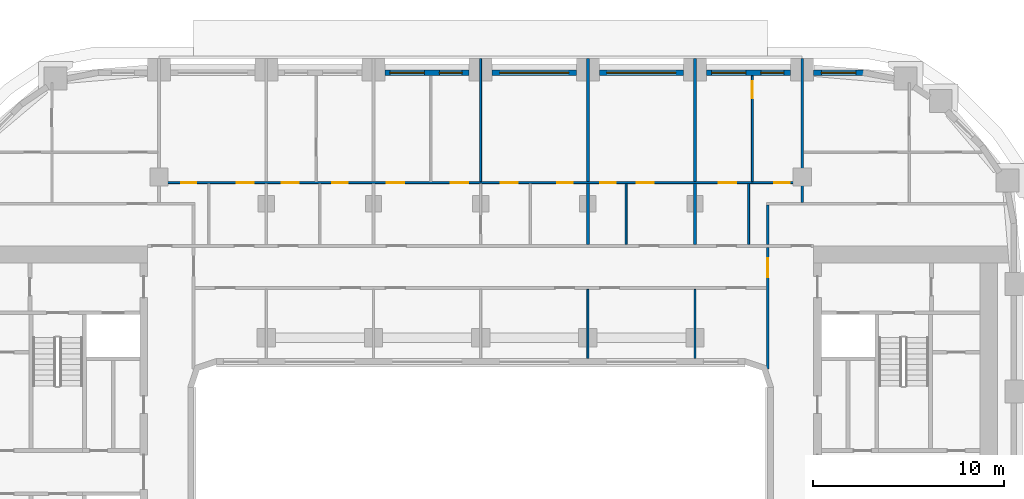
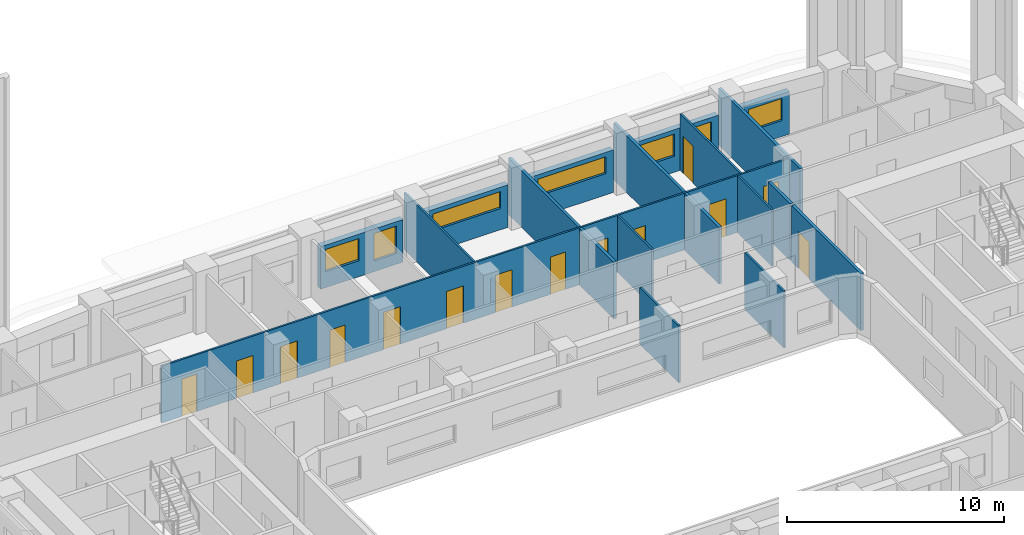
# One storey, part 10 of 23: 19 walls, 14 doors, 7 windows, 21 openings.
"""IFC4 building model written with IfcOpenShell, lengths in metres."""

from ifc_helpers import new_model, si_unit, direction, frame, frame_2d, origin, place, context, subcontext, project, spatial, rectangle, extrude, material, layer, layer_set, type_object, element, fill, save


model = new_model("IFC4")

# Units and contexts
model_context = context("Model", 3, precision=1e-05, world=origin(), true_north=direction((0.0, 1.0)))
body_context = subcontext(model_context, "Body", "Model", "MODEL_VIEW")
ifc_project = project(units=[si_unit("LENGTHUNIT", "METRE"), si_unit("AREAUNIT", "SQUARE_METRE"), si_unit("VOLUMEUNIT", "CUBIC_METRE"), si_unit("PLANEANGLEUNIT", "RADIAN"), si_unit("MASSUNIT", "GRAM", prefix="KILO")], contexts=[model_context])

# Site, building, storey
site_placement = place(None, origin())
site = spatial("IfcSite", under=ifc_project, at=site_placement, CompositionType="ELEMENT")
building_placement = place(site_placement, origin())
building = spatial("IfcBuilding", under=site, at=building_placement, Name="Kiln Ring Residences", CompositionType="ELEMENT")
storey_placement = place(building_placement, frame((0.0, 0.0, 107.800048828125)))
storey = spatial("IfcBuildingStorey", under=building, at=storey_placement, Name="L27", CompositionType="ELEMENT", Elevation=107.800048828125)

# Wall, opening, window
ifc_material_1 = material(Name="Brick masonry, dark clay brick", Category="masonry")
ifc_layer_1 = layer(ifc_material_1, 0.300048828125)
ifc_layer_set_1 = layer_set([ifc_layer_1], Name="EW-300 BRICK WALL")
wall_type_1 = type_object("IfcWallType", Name="EW-300 BRICK WALL", PredefinedType="SOLIDWALL", material=ifc_layer_set_1)
wall_1_placement = place(storey_placement, frame((20.0, 22.25, 0.0), z_axis=(0.0, 0.0, 1.0), x_axis=(-1.0, 0.0, 0.0)))
wall_1 = element("IfcWall", 1, at=wall_1_placement, inside=storey, type_object=wall_type_1, Name="Facade wall L27 28", PredefinedType="SOLIDWALL", context=body_context, shape_type="SweptSolid", body=[
    extrude(rectangle(XDim=2.60009765625, YDim=0.300048828125, at=frame_2d((1.300048828125, 0.0))), origin(), (0.0, 0.0, 1.0), 2.39990234375),
])
opening_1_placement = place(wall_1_placement, frame((0.39990234375, 0.0, 0.89990234375)))
opening_1 = element("IfcOpeningElement", 2, at=opening_1_placement, cuts=wall_1, Name="Opening W2", PredefinedType="OPENING", context=body_context, shape_type="SweptSolid", body=[
    extrude(rectangle(XDim=1.800048828125, YDim=1.25, at=frame_2d((0.89990234375, 0.625))), frame((0.0, 0.159912109375, 0.0), z_axis=(0.0, -1.0, 0.0), x_axis=(1.0, 0.0, 0.0)), (0.0, 0.0, 1.0), 0.320068359375),
])
ifc_material_2 = material(Name="Aluminium frame with double glazing", Category="aluminium")
window_type_1 = type_object("IfcWindowType", Name="WINDOW 1800 x 1250", PartitioningType="SINGLE_PANEL", PredefinedType="WINDOW", material=ifc_material_2)
window_1_placement = place(opening_1_placement, origin())
window_1 = element("IfcWindow", 3, at=window_1_placement, inside=storey, type_object=window_type_1, Name="Window L27 15", OverallHeight=1.25, OverallWidth=1.800048828125, PartitioningType="SINGLE_PANEL", PredefinedType="WINDOW", context=body_context, shape_type="SweptSolid", body=[
    extrude(rectangle(XDim=1.800048828125, YDim=1.25, at=frame_2d((0.89990234375, 0.625))), frame((0.0, 0.030029296875, 0.0), z_axis=(0.0, -1.0, 0.0), x_axis=(1.0, 0.0, 0.0)), (0.0, 0.0, 1.0), 0.06005859375),
])
fill(opening_1, window_1)

# Wall, openings, windows
wall_2_placement = place(storey_placement, frame((16.199951171875, 22.25, 0.0), z_axis=(0.0, 0.0, 1.0), x_axis=(-1.0, 0.0, 0.0)))
wall_2 = element("IfcWall", 4, at=wall_2_placement, inside=storey, type_object=wall_type_1, Name="Facade wall L27 29", PredefinedType="SOLIDWALL", context=body_context, shape_type="SweptSolid", body=[
    extrude(rectangle(XDim=4.39990234375, YDim=0.300048828125, at=frame_2d((2.199951171875, 0.0))), origin(), (0.0, 0.0, 1.0), 2.39990234375),
])
opening_2_placement = place(wall_2_placement, frame((0.362548828125, 0.0, 0.60009765625)))
opening_2 = element("IfcOpeningElement", 5, at=opening_2_placement, cuts=wall_2, Name="Opening W1", PredefinedType="OPENING", context=body_context, shape_type="SweptSolid", body=[
    extrude(rectangle(XDim=1.199951171875, YDim=1.550048828125, at=frame_2d((0.60009765625, 0.77490234375))), frame((0.0, 0.159912109375, 0.0), z_axis=(0.0, -1.0, 0.0), x_axis=(1.0, 0.0, 0.0)), (0.0, 0.0, 1.0), 0.320068359375),
])
opening_3_placement = place(wall_2_placement, frame((2.33740234375, 0.0, 0.89990234375)))
opening_3 = element("IfcOpeningElement", 6, at=opening_3_placement, cuts=wall_2, Name="Opening W2", PredefinedType="OPENING", context=body_context, shape_type="SweptSolid", body=[
    extrude(rectangle(XDim=1.800048828125, YDim=1.25, at=frame_2d((0.89990234375, 0.625))), frame((0.0, 0.159912109375, 0.0), z_axis=(0.0, -1.0, 0.0), x_axis=(1.0, 0.0, 0.0)), (0.0, 0.0, 1.0), 0.320068359375),
])
ifc_material_3 = material(Name="Aluminium frame with double glazing", Category="aluminium")
window_type_2 = type_object("IfcWindowType", Name="WINDOW 1200 x 1550", PartitioningType="SINGLE_PANEL", PredefinedType="WINDOW", material=ifc_material_3)
window_2_placement = place(opening_2_placement, origin())
window_2 = element("IfcWindow", 7, at=window_2_placement, inside=storey, type_object=window_type_2, Name="Window L27 16", OverallHeight=1.550048828125, OverallWidth=1.199951171875, PartitioningType="SINGLE_PANEL", PredefinedType="WINDOW", context=body_context, shape_type="SweptSolid", body=[
    extrude(rectangle(XDim=1.199951171875, YDim=1.550048828125, at=frame_2d((0.60009765625, 0.77490234375))), frame((0.0, 0.030029296875, 0.0), z_axis=(0.0, -1.0, 0.0), x_axis=(1.0, 0.0, 0.0)), (0.0, 0.0, 1.0), 0.06005859375),
])
fill(opening_2, window_2)
window_3_placement = place(opening_3_placement, origin())
window_3 = element("IfcWindow", 8, at=window_3_placement, inside=storey, type_object=window_type_1, Name="Window L27 17", OverallHeight=1.25, OverallWidth=1.800048828125, PartitioningType="SINGLE_PANEL", PredefinedType="WINDOW", context=body_context, shape_type="SweptSolid", body=[
    extrude(rectangle(XDim=1.800048828125, YDim=1.25, at=frame_2d((0.89990234375, 0.625))), frame((0.0, 0.030029296875, 0.0), z_axis=(0.0, -1.0, 0.0), x_axis=(1.0, 0.0, 0.0)), (0.0, 0.0, 1.0), 0.06005859375),
])
fill(opening_3, window_3)

# Wall, opening, window
wall_3_placement = place(storey_placement, frame((10.60009765625, 22.25, 0.0), z_axis=(0.0, 0.0, 1.0), x_axis=(-1.0, 0.0, 0.0)))
wall_3 = element("IfcWall", 9, at=wall_3_placement, inside=storey, type_object=wall_type_1, Name="Facade wall L27 30", PredefinedType="SOLIDWALL", context=body_context, shape_type="SweptSolid", body=[
    extrude(rectangle(XDim=4.400146484375, YDim=0.300048828125, at=frame_2d((2.2001953125, 0.0))), origin(), (0.0, 0.0, 1.0), 2.39990234375),
])
opening_4_placement = place(wall_3_placement, frame((0.39990234375, 0.0, 1.199951171875)))
opening_4 = element("IfcOpeningElement", 10, at=opening_4_placement, cuts=wall_3, Name="Opening W4", PredefinedType="OPENING", context=body_context, shape_type="SweptSolid", body=[
    extrude(rectangle(XDim=3.60009765625, YDim=0.949951171875, at=frame_2d((1.800048828125, 0.47509765625))), frame((0.0, 0.159912109375, 0.0), z_axis=(0.0, -1.0, 0.0), x_axis=(1.0, 0.0, 0.0)), (0.0, 0.0, 1.0), 0.320068359375),
])
ifc_material_4 = material(Name="Aluminium frame with double glazing", Category="aluminium")
window_type_3 = type_object("IfcWindowType", Name="WINDOW 3600 x 950", PartitioningType="SINGLE_PANEL", PredefinedType="WINDOW", material=ifc_material_4)
window_4_placement = place(opening_4_placement, origin())
window_4 = element("IfcWindow", 11, at=window_4_placement, inside=storey, type_object=window_type_3, Name="Window L27 18", OverallHeight=0.949951171875, OverallWidth=3.60009765625, PartitioningType="SINGLE_PANEL", PredefinedType="WINDOW", context=body_context, shape_type="SweptSolid", body=[
    extrude(rectangle(XDim=3.60009765625, YDim=0.949951171875, at=frame_2d((1.800048828125, 0.47509765625))), frame((0.0, 0.030029296875, 0.0), z_axis=(0.0, -1.0, 0.0), x_axis=(1.0, 0.0, 0.0)), (0.0, 0.0, 1.0), 0.06005859375),
])
fill(opening_4, window_4)

wall_4_placement = place(storey_placement, frame((5.0, 22.25, 0.0), z_axis=(0.0, 0.0, 1.0), x_axis=(-1.0, 0.0, 0.0)))
wall_4 = element("IfcWall", 12, at=wall_4_placement, inside=storey, type_object=wall_type_1, Name="Facade wall L27 31", PredefinedType="SOLIDWALL", context=body_context, shape_type="SweptSolid", body=[
    extrude(rectangle(XDim=4.39990234375, YDim=0.300048828125, at=frame_2d((2.199951171875, 0.0))), origin(), (0.0, 0.0, 1.0), 2.39990234375),
])
opening_5_placement = place(wall_4_placement, frame((0.39990234375, 0.0, 1.199951171875)))
opening_5 = element("IfcOpeningElement", 13, at=opening_5_placement, cuts=wall_4, Name="Opening W4", PredefinedType="OPENING", context=body_context, shape_type="SweptSolid", body=[
    extrude(rectangle(XDim=3.60009765625, YDim=0.949951171875, at=frame_2d((1.800048828125, 0.47509765625))), frame((0.0, 0.159912109375, 0.0), z_axis=(0.0, -1.0, 0.0), x_axis=(1.0, 0.0, 0.0)), (0.0, 0.0, 1.0), 0.320068359375),
])
window_5_placement = place(opening_5_placement, origin())
window_5 = element("IfcWindow", 14, at=window_5_placement, inside=storey, type_object=window_type_3, Name="Window L27 19", OverallHeight=0.949951171875, OverallWidth=3.60009765625, PartitioningType="SINGLE_PANEL", PredefinedType="WINDOW", context=body_context, shape_type="SweptSolid", body=[
    extrude(rectangle(XDim=3.60009765625, YDim=0.949951171875, at=frame_2d((1.800048828125, 0.47509765625))), frame((0.0, 0.030029296875, 0.0), z_axis=(0.0, -1.0, 0.0), x_axis=(1.0, 0.0, 0.0)), (0.0, 0.0, 1.0), 0.06005859375),
])
fill(opening_5, window_5)

# Wall, openings, windows
wall_5_placement = place(storey_placement, frame((-0.60009765625, 22.25, 0.0), z_axis=(0.0, 0.0, 1.0), x_axis=(-1.0, 0.0, 0.0)))
wall_5 = element("IfcWall", 15, at=wall_5_placement, inside=storey, type_object=wall_type_1, Name="Facade wall L27 32", PredefinedType="SOLIDWALL", context=body_context, shape_type="SweptSolid", body=[
    extrude(rectangle(XDim=4.39990234375, YDim=0.300048828125, at=frame_2d((2.199951171875, 0.0))), origin(), (0.0, 0.0, 1.0), 2.39990234375),
])
opening_6_placement = place(wall_5_placement, frame((0.362548828125, 0.0, 0.60009765625)))
opening_6 = element("IfcOpeningElement", 16, at=opening_6_placement, cuts=wall_5, Name="Opening W1", PredefinedType="OPENING", context=body_context, shape_type="SweptSolid", body=[
    extrude(rectangle(XDim=1.199951171875, YDim=1.550048828125, at=frame_2d((0.60009765625, 0.77490234375))), frame((0.0, 0.159912109375, 0.0), z_axis=(0.0, -1.0, 0.0), x_axis=(1.0, 0.0, 0.0)), (0.0, 0.0, 1.0), 0.320068359375),
])
opening_7_placement = place(wall_5_placement, frame((2.33740234375, 0.0, 0.89990234375)))
opening_7 = element("IfcOpeningElement", 17, at=opening_7_placement, cuts=wall_5, Name="Opening W2", PredefinedType="OPENING", context=body_context, shape_type="SweptSolid", body=[
    extrude(rectangle(XDim=1.800048828125, YDim=1.25, at=frame_2d((0.89990234375, 0.625))), frame((0.0, 0.159912109375, 0.0), z_axis=(0.0, -1.0, 0.0), x_axis=(1.0, 0.0, 0.0)), (0.0, 0.0, 1.0), 0.320068359375),
])
window_6_placement = place(opening_6_placement, origin())
window_6 = element("IfcWindow", 18, at=window_6_placement, inside=storey, type_object=window_type_2, Name="Window L27 20", OverallHeight=1.550048828125, OverallWidth=1.199951171875, PartitioningType="SINGLE_PANEL", PredefinedType="WINDOW", context=body_context, shape_type="SweptSolid", body=[
    extrude(rectangle(XDim=1.199951171875, YDim=1.550048828125, at=frame_2d((0.60009765625, 0.77490234375))), frame((0.0, 0.030029296875, 0.0), z_axis=(0.0, -1.0, 0.0), x_axis=(1.0, 0.0, 0.0)), (0.0, 0.0, 1.0), 0.06005859375),
])
fill(opening_6, window_6)
window_7_placement = place(opening_7_placement, origin())
window_7 = element("IfcWindow", 19, at=window_7_placement, inside=storey, type_object=window_type_1, Name="Window L27 21", OverallHeight=1.25, OverallWidth=1.800048828125, PartitioningType="SINGLE_PANEL", PredefinedType="WINDOW", context=body_context, shape_type="SweptSolid", body=[
    extrude(rectangle(XDim=1.800048828125, YDim=1.25, at=frame_2d((0.89990234375, 0.625))), frame((0.0, 0.030029296875, 0.0), z_axis=(0.0, -1.0, 0.0), x_axis=(1.0, 0.0, 0.0)), (0.0, 0.0, 1.0), 0.06005859375),
])
fill(opening_7, window_7)

# Wall, openings, doors
ifc_material_5 = material(Name="Gypsum board on steel studs", Category="steel")
ifc_layer_2 = layer(ifc_material_5, 0.10009765625)
ifc_layer_set_2 = layer_set([ifc_layer_2], Name="PARTITION-100")
wall_type_2 = type_object("IfcWallType", Name="PARTITION-100", PredefinedType="PARTITIONING", material=ifc_layer_set_2)
wall_6_placement = place(storey_placement, frame((-16.72509765625, 16.5, 0.0), z_axis=(0.0, 0.0, 1.0), x_axis=(1.0, 0.0, 0.0)))
wall_6 = element("IfcWall", 20, at=wall_6_placement, inside=storey, type_object=wall_type_2, Name="Partition 011", PredefinedType="PARTITIONING", context=body_context, shape_type="SweptSolid", body=[
    extrude(rectangle(XDim=33.4501953125, YDim=0.10009765625, at=frame_2d((16.72509765625, 0.0))), origin(), (0.0, 0.0, 1.0), 3.199951171875),
])
opening_8_placement = place(wall_6_placement, frame((1.074951171875, 0.0, 0.0)))
opening_8 = element("IfcOpeningElement", 21, at=opening_8_placement, cuts=wall_6, Name="Opening L27-D016", PredefinedType="OPENING", context=body_context, shape_type="SweptSolid", body=[
    extrude(rectangle(XDim=0.800048828125, YDim=2.10009765625, at=frame_2d((0.39990234375, 1.050048828125))), frame((0.0, 0.06005859375, 0.0), z_axis=(0.0, -1.0, 0.0), x_axis=(1.0, 0.0, 0.0)), (0.0, 0.0, 1.0), 0.1201171875),
])
opening_9_placement = place(wall_6_placement, frame((3.97509765625, 0.0, 0.0)))
opening_9 = element("IfcOpeningElement", 22, at=opening_9_placement, cuts=wall_6, Name="Opening L27-D017", PredefinedType="OPENING", context=body_context, shape_type="SweptSolid", body=[
    extrude(rectangle(XDim=0.89990234375, YDim=2.10009765625, at=frame_2d((0.449951171875, 1.050048828125))), frame((0.0, 0.06005859375, 0.0), z_axis=(0.0, -1.0, 0.0), x_axis=(1.0, 0.0, 0.0)), (0.0, 0.0, 1.0), 0.1201171875),
])
opening_10_placement = place(wall_6_placement, frame((8.97509765625, 0.0, 0.0)))
opening_10 = element("IfcOpeningElement", 23, at=opening_10_placement, cuts=wall_6, Name="Opening L27-D019", PredefinedType="OPENING", context=body_context, shape_type="SweptSolid", body=[
    extrude(rectangle(XDim=0.800048828125, YDim=2.10009765625, at=frame_2d((0.39990234375, 1.050048828125))), frame((0.0, 0.06005859375, 0.0), z_axis=(0.0, -1.0, 0.0), x_axis=(1.0, 0.0, 0.0)), (0.0, 0.0, 1.0), 0.1201171875),
])
opening_11_placement = place(wall_6_placement, frame((6.324951171875, 0.0, 0.0)))
opening_11 = element("IfcOpeningElement", 24, at=opening_11_placement, cuts=wall_6, Name="Opening L27-D020", PredefinedType="OPENING", context=body_context, shape_type="SweptSolid", body=[
    extrude(rectangle(XDim=0.89990234375, YDim=2.10009765625, at=frame_2d((0.449951171875, 1.050048828125))), frame((0.0, 0.06005859375, 0.0), z_axis=(0.0, -1.0, 0.0), x_axis=(1.0, 0.0, 0.0)), (0.0, 0.0, 1.0), 0.1201171875),
])
opening_12_placement = place(wall_6_placement, frame((20.72509765625, 0.0, 0.0)))
opening_12 = element("IfcOpeningElement", 25, at=opening_12_placement, cuts=wall_6, Name="Opening L27-D024", PredefinedType="OPENING", context=body_context, shape_type="SweptSolid", body=[
    extrude(rectangle(XDim=0.800048828125, YDim=2.10009765625, at=frame_2d((0.39990234375, 1.050048828125))), frame((0.0, 0.06005859375, 0.0), z_axis=(0.0, -1.0, 0.0), x_axis=(1.0, 0.0, 0.0)), (0.0, 0.0, 1.0), 0.1201171875),
])
opening_13_placement = place(wall_6_placement, frame((17.77490234375, 0.0, 0.0)))
opening_13 = element("IfcOpeningElement", 26, at=opening_13_placement, cuts=wall_6, Name="Opening L27-D025", PredefinedType="OPENING", context=body_context, shape_type="SweptSolid", body=[
    extrude(rectangle(XDim=0.89990234375, YDim=2.10009765625, at=frame_2d((0.449951171875, 1.050048828125))), frame((0.0, 0.06005859375, 0.0), z_axis=(0.0, -1.0, 0.0), x_axis=(1.0, 0.0, 0.0)), (0.0, 0.0, 1.0), 0.1201171875),
])
opening_14_placement = place(wall_6_placement, frame((11.824951171875, 0.0, 0.0)))
opening_14 = element("IfcOpeningElement", 27, at=opening_14_placement, cuts=wall_6, Name="Opening L27-D026", PredefinedType="OPENING", context=body_context, shape_type="SweptSolid", body=[
    extrude(rectangle(XDim=0.89990234375, YDim=2.10009765625, at=frame_2d((0.449951171875, 1.050048828125))), frame((0.0, 0.06005859375, 0.0), z_axis=(0.0, -1.0, 0.0), x_axis=(1.0, 0.0, 0.0)), (0.0, 0.0, 1.0), 0.1201171875),
])
opening_15_placement = place(wall_6_placement, frame((15.175048828125, 0.0, 0.0)))
opening_15 = element("IfcOpeningElement", 28, at=opening_15_placement, cuts=wall_6, Name="Opening L27-D027", PredefinedType="OPENING", context=body_context, shape_type="SweptSolid", body=[
    extrude(rectangle(XDim=0.89990234375, YDim=2.10009765625, at=frame_2d((0.449951171875, 1.050048828125))), frame((0.0, 0.06005859375, 0.0), z_axis=(0.0, -1.0, 0.0), x_axis=(1.0, 0.0, 0.0)), (0.0, 0.0, 1.0), 0.1201171875),
])
opening_16_placement = place(wall_6_placement, frame((22.97509765625, 0.0, 0.0)))
opening_16 = element("IfcOpeningElement", 29, at=opening_16_placement, cuts=wall_6, Name="Opening L27-D029", PredefinedType="OPENING", context=body_context, shape_type="SweptSolid", body=[
    extrude(rectangle(XDim=0.800048828125, YDim=2.10009765625, at=frame_2d((0.39990234375, 1.050048828125))), frame((0.0, 0.06005859375, 0.0), z_axis=(0.0, -1.0, 0.0), x_axis=(1.0, 0.0, 0.0)), (0.0, 0.0, 1.0), 0.1201171875),
])
opening_17_placement = place(wall_6_placement, frame((24.875, 0.0, 0.0)))
opening_17 = element("IfcOpeningElement", 30, at=opening_17_placement, cuts=wall_6, Name="Opening L27-D030", PredefinedType="OPENING", context=body_context, shape_type="SweptSolid", body=[
    extrude(rectangle(XDim=0.89990234375, YDim=2.10009765625, at=frame_2d((0.449951171875, 1.050048828125))), frame((0.0, 0.06005859375, 0.0), z_axis=(0.0, -1.0, 0.0), x_axis=(1.0, 0.0, 0.0)), (0.0, 0.0, 1.0), 0.1201171875),
])
opening_18_placement = place(wall_6_placement, frame((32.074951171875, 0.0, 0.0)))
opening_18 = element("IfcOpeningElement", 31, at=opening_18_placement, cuts=wall_6, Name="Opening L27-D032", PredefinedType="OPENING", context=body_context, shape_type="SweptSolid", body=[
    extrude(rectangle(XDim=0.800048828125, YDim=2.10009765625, at=frame_2d((0.39990234375, 1.050048828125))), frame((0.0, 0.06005859375, 0.0), z_axis=(0.0, -1.0, 0.0), x_axis=(1.0, 0.0, 0.0)), (0.0, 0.0, 1.0), 0.1201171875),
])
opening_19_placement = place(wall_6_placement, frame((29.175048828125, 0.0, 0.0)))
opening_19 = element("IfcOpeningElement", 32, at=opening_19_placement, cuts=wall_6, Name="Opening L27-D033", PredefinedType="OPENING", context=body_context, shape_type="SweptSolid", body=[
    extrude(rectangle(XDim=0.89990234375, YDim=2.10009765625, at=frame_2d((0.449951171875, 1.050048828125))), frame((0.0, 0.06005859375, 0.0), z_axis=(0.0, -1.0, 0.0), x_axis=(1.0, 0.0, 0.0)), (0.0, 0.0, 1.0), 0.1201171875),
])
ifc_material_6 = material(Name="Timber door leaf", Category="wood")
door_type_1 = type_object("IfcDoorType", Name="FLAT-DOOR-800-PL", OperationType="SINGLE_SWING_LEFT", PredefinedType="DOOR", material=ifc_material_6)
door_1_placement = place(opening_8_placement, origin())
door_1 = element("IfcDoor", 33, at=door_1_placement, inside=storey, type_object=door_type_1, Name="Door L27-D016", OperationType="SINGLE_SWING_RIGHT", OverallHeight=2.10009765625, OverallWidth=0.800048828125, PredefinedType="DOOR", context=body_context, shape_type="SweptSolid", body=[
    extrude(rectangle(XDim=0.800048828125, YDim=2.10009765625, at=frame_2d((0.39990234375, 1.050048828125))), frame((0.0, 0.02490234375, 0.0), z_axis=(0.0, -1.0, 0.0), x_axis=(1.0, 0.0, 0.0)), (0.0, 0.0, 1.0), 0.050048828125),
])
fill(opening_8, door_1)
door_2_placement = place(opening_10_placement, origin())
door_2 = element("IfcDoor", 34, at=door_2_placement, inside=storey, type_object=door_type_1, Name="Door L27-D019", OperationType="SINGLE_SWING_LEFT", OverallHeight=2.10009765625, OverallWidth=0.800048828125, PredefinedType="DOOR", context=body_context, shape_type="SweptSolid", body=[
    extrude(rectangle(XDim=0.800048828125, YDim=2.10009765625, at=frame_2d((0.39990234375, 1.050048828125))), frame((0.0, 0.02490234375, 0.0), z_axis=(0.0, -1.0, 0.0), x_axis=(1.0, 0.0, 0.0)), (0.0, 0.0, 1.0), 0.050048828125),
])
fill(opening_10, door_2)
door_3_placement = place(opening_12_placement, origin())
door_3 = element("IfcDoor", 35, at=door_3_placement, inside=storey, type_object=door_type_1, Name="Door L27-D024", OperationType="SINGLE_SWING_RIGHT", OverallHeight=2.10009765625, OverallWidth=0.800048828125, PredefinedType="DOOR", context=body_context, shape_type="SweptSolid", body=[
    extrude(rectangle(XDim=0.800048828125, YDim=2.10009765625, at=frame_2d((0.39990234375, 1.050048828125))), frame((0.0, 0.02490234375, 0.0), z_axis=(0.0, -1.0, 0.0), x_axis=(1.0, 0.0, 0.0)), (0.0, 0.0, 1.0), 0.050048828125),
])
fill(opening_12, door_3)
door_4_placement = place(opening_16_placement, origin())
door_4 = element("IfcDoor", 36, at=door_4_placement, inside=storey, type_object=door_type_1, Name="Door L27-D029", OperationType="SINGLE_SWING_LEFT", OverallHeight=2.10009765625, OverallWidth=0.800048828125, PredefinedType="DOOR", context=body_context, shape_type="SweptSolid", body=[
    extrude(rectangle(XDim=0.800048828125, YDim=2.10009765625, at=frame_2d((0.39990234375, 1.050048828125))), frame((0.0, 0.02490234375, 0.0), z_axis=(0.0, -1.0, 0.0), x_axis=(1.0, 0.0, 0.0)), (0.0, 0.0, 1.0), 0.050048828125),
])
fill(opening_16, door_4)
door_5_placement = place(opening_18_placement, origin())
door_5 = element("IfcDoor", 37, at=door_5_placement, inside=storey, type_object=door_type_1, Name="Door L27-D032", OperationType="SINGLE_SWING_RIGHT", OverallHeight=2.10009765625, OverallWidth=0.800048828125, PredefinedType="DOOR", context=body_context, shape_type="SweptSolid", body=[
    extrude(rectangle(XDim=0.800048828125, YDim=2.10009765625, at=frame_2d((0.39990234375, 1.050048828125))), frame((0.0, 0.02490234375, 0.0), z_axis=(0.0, -1.0, 0.0), x_axis=(1.0, 0.0, 0.0)), (0.0, 0.0, 1.0), 0.050048828125),
])
fill(opening_18, door_5)
ifc_material_7 = material(Name="Timber door leaf", Category="wood")
door_type_2 = type_object("IfcDoorType", Name="FLAT-DOOR-900-PL", OperationType="SINGLE_SWING_LEFT", PredefinedType="DOOR", material=ifc_material_7)
door_6_placement = place(opening_9_placement, origin())
door_6 = element("IfcDoor", 38, at=door_6_placement, inside=storey, type_object=door_type_2, Name="Door L27-D017", OperationType="SINGLE_SWING_LEFT", OverallHeight=2.10009765625, OverallWidth=0.89990234375, PredefinedType="DOOR", context=body_context, shape_type="SweptSolid", body=[
    extrude(rectangle(XDim=0.89990234375, YDim=2.10009765625, at=frame_2d((0.449951171875, 1.050048828125))), frame((0.0, 0.02490234375, 0.0), z_axis=(0.0, -1.0, 0.0), x_axis=(1.0, 0.0, 0.0)), (0.0, 0.0, 1.0), 0.050048828125),
])
fill(opening_9, door_6)
door_7_placement = place(opening_11_placement, origin())
door_7 = element("IfcDoor", 39, at=door_7_placement, inside=storey, type_object=door_type_2, Name="Door L27-D020", OperationType="SINGLE_SWING_RIGHT", OverallHeight=2.10009765625, OverallWidth=0.89990234375, PredefinedType="DOOR", context=body_context, shape_type="SweptSolid", body=[
    extrude(rectangle(XDim=0.89990234375, YDim=2.10009765625, at=frame_2d((0.449951171875, 1.050048828125))), frame((0.0, 0.02490234375, 0.0), z_axis=(0.0, -1.0, 0.0), x_axis=(1.0, 0.0, 0.0)), (0.0, 0.0, 1.0), 0.050048828125),
])
fill(opening_11, door_7)
door_8_placement = place(opening_13_placement, origin())
door_8 = element("IfcDoor", 40, at=door_8_placement, inside=storey, type_object=door_type_2, Name="Door L27-D025", OperationType="SINGLE_SWING_LEFT", OverallHeight=2.10009765625, OverallWidth=0.89990234375, PredefinedType="DOOR", context=body_context, shape_type="SweptSolid", body=[
    extrude(rectangle(XDim=0.89990234375, YDim=2.10009765625, at=frame_2d((0.449951171875, 1.050048828125))), frame((0.0, 0.02490234375, 0.0), z_axis=(0.0, -1.0, 0.0), x_axis=(1.0, 0.0, 0.0)), (0.0, 0.0, 1.0), 0.050048828125),
])
fill(opening_13, door_8)
door_9_placement = place(opening_14_placement, origin())
door_9 = element("IfcDoor", 41, at=door_9_placement, inside=storey, type_object=door_type_2, Name="Door L27-D026", OperationType="SINGLE_SWING_RIGHT", OverallHeight=2.10009765625, OverallWidth=0.89990234375, PredefinedType="DOOR", context=body_context, shape_type="SweptSolid", body=[
    extrude(rectangle(XDim=0.89990234375, YDim=2.10009765625, at=frame_2d((0.449951171875, 1.050048828125))), frame((0.0, 0.02490234375, 0.0), z_axis=(0.0, -1.0, 0.0), x_axis=(1.0, 0.0, 0.0)), (0.0, 0.0, 1.0), 0.050048828125),
])
fill(opening_14, door_9)
door_10_placement = place(opening_15_placement, origin())
door_10 = element("IfcDoor", 42, at=door_10_placement, inside=storey, type_object=door_type_2, Name="Door L27-D027", OperationType="SINGLE_SWING_LEFT", OverallHeight=2.10009765625, OverallWidth=0.89990234375, PredefinedType="DOOR", context=body_context, shape_type="SweptSolid", body=[
    extrude(rectangle(XDim=0.89990234375, YDim=2.10009765625, at=frame_2d((0.449951171875, 1.050048828125))), frame((0.0, 0.02490234375, 0.0), z_axis=(0.0, -1.0, 0.0), x_axis=(1.0, 0.0, 0.0)), (0.0, 0.0, 1.0), 0.050048828125),
])
fill(opening_15, door_10)
door_11_placement = place(opening_17_placement, origin())
door_11 = element("IfcDoor", 43, at=door_11_placement, inside=storey, type_object=door_type_2, Name="Door L27-D030", OperationType="SINGLE_SWING_RIGHT", OverallHeight=2.10009765625, OverallWidth=0.89990234375, PredefinedType="DOOR", context=body_context, shape_type="SweptSolid", body=[
    extrude(rectangle(XDim=0.89990234375, YDim=2.10009765625, at=frame_2d((0.449951171875, 1.050048828125))), frame((0.0, 0.02490234375, 0.0), z_axis=(0.0, -1.0, 0.0), x_axis=(1.0, 0.0, 0.0)), (0.0, 0.0, 1.0), 0.050048828125),
])
fill(opening_17, door_11)
door_12_placement = place(opening_19_placement, origin())
door_12 = element("IfcDoor", 44, at=door_12_placement, inside=storey, type_object=door_type_2, Name="Door L27-D033", OperationType="SINGLE_SWING_LEFT", OverallHeight=2.10009765625, OverallWidth=0.89990234375, PredefinedType="DOOR", context=body_context, shape_type="SweptSolid", body=[
    extrude(rectangle(XDim=0.89990234375, YDim=2.10009765625, at=frame_2d((0.449951171875, 1.050048828125))), frame((0.0, 0.02490234375, 0.0), z_axis=(0.0, -1.0, 0.0), x_axis=(1.0, 0.0, 0.0)), (0.0, 0.0, 1.0), 0.050048828125),
])
fill(opening_19, door_12)

# Walls
wall_7_placement = place(storey_placement, frame((0.0, 16.550048828125, 0.0), z_axis=(0.0, 0.0, 1.0), x_axis=(0.0, 1.0, 0.0)))
element("IfcWall", 45, at=wall_7_placement, inside=storey, type_object=wall_type_2, Name="Partition 049", PredefinedType="PARTITIONING", context=body_context, shape_type="SweptSolid", body=[
    extrude(rectangle(XDim=6.429931640625, YDim=0.10009765625, at=frame_2d((3.21484375, 0.0))), origin(), (0.0, 0.0, 1.0), 3.199951171875),
])
wall_8_placement = place(storey_placement, frame((5.60009765625, 7.320068359375, 0.0), z_axis=(0.0, 0.0, 1.0), x_axis=(0.0, 1.0, 0.0)))
element("IfcWall", 46, at=wall_8_placement, inside=storey, type_object=wall_type_2, Name="Partition 055", PredefinedType="PARTITIONING", context=body_context, shape_type="SweptSolid", body=[
    extrude(rectangle(XDim=3.60498046875, YDim=0.10009765625, at=frame_2d((1.802490234375, 0.0))), origin(), (0.0, 0.0, 1.0), 3.199951171875),
])
wall_9_placement = place(storey_placement, frame((7.60009765625, 13.27490234375, 0.0), z_axis=(0.0, 0.0, 1.0), x_axis=(0.0, 1.0, 0.0)))
element("IfcWall", 47, at=wall_9_placement, inside=storey, type_object=wall_type_2, Name="Partition 061", PredefinedType="PARTITIONING", context=body_context, shape_type="SweptSolid", body=[
    extrude(rectangle(XDim=3.175048828125, YDim=0.10009765625, at=frame_2d((1.58740234375, 0.0))), origin(), (0.0, 0.0, 1.0), 3.199951171875),
])
wall_10_placement = place(storey_placement, frame((11.199951171875, 7.320068359375, 0.0), z_axis=(0.0, 0.0, 1.0), x_axis=(0.0, 1.0, 0.0)))
element("IfcWall", 48, at=wall_10_placement, inside=storey, type_object=wall_type_2, Name="Partition 066", PredefinedType="PARTITIONING", context=body_context, shape_type="SweptSolid", body=[
    extrude(rectangle(XDim=3.60498046875, YDim=0.10009765625, at=frame_2d((1.802490234375, 0.0))), origin(), (0.0, 0.0, 1.0), 3.199951171875),
])
wall_11_placement = place(storey_placement, frame((14.0, 13.27490234375, 0.0), z_axis=(0.0, 0.0, 1.0), x_axis=(0.0, 1.0, 0.0)))
element("IfcWall", 49, at=wall_11_placement, inside=storey, type_object=wall_type_2, Name="Partition 071", PredefinedType="PARTITIONING", context=body_context, shape_type="SweptSolid", body=[
    extrude(rectangle(XDim=3.175048828125, YDim=0.10009765625, at=frame_2d((1.58740234375, 0.0))), origin(), (0.0, 0.0, 1.0), 3.199951171875),
])

# Wall, opening, door
wall_12_placement = place(storey_placement, frame((14.199951171875, 16.550048828125, 0.0), z_axis=(0.0, 0.0, 1.0), x_axis=(0.0, 1.0, 0.0)))
wall_12 = element("IfcWall", 50, at=wall_12_placement, inside=storey, type_object=wall_type_2, Name="Partition 073", PredefinedType="PARTITIONING", context=body_context, shape_type="SweptSolid", body=[
    extrude(rectangle(XDim=5.530029296875, YDim=0.10009765625, at=frame_2d((2.76513671875, 0.0))), origin(), (0.0, 0.0, 1.0), 3.199951171875),
])
opening_20_placement = place(wall_12_placement, frame((4.35009765625, 0.0, 0.0)))
opening_20 = element("IfcOpeningElement", 51, at=opening_20_placement, cuts=wall_12, Name="Opening L27-D034", PredefinedType="OPENING", context=body_context, shape_type="SweptSolid", body=[
    extrude(rectangle(XDim=0.89990234375, YDim=2.10009765625, at=frame_2d((0.449951171875, 1.050048828125))), frame((0.0, 0.06005859375, 0.0), z_axis=(0.0, -1.0, 0.0), x_axis=(1.0, 0.0, 0.0)), (0.0, 0.0, 1.0), 0.1201171875),
])
door_13_placement = place(opening_20_placement, origin())
door_13 = element("IfcDoor", 52, at=door_13_placement, inside=storey, type_object=door_type_2, Name="Door L27-D034", OperationType="SINGLE_SWING_RIGHT", OverallHeight=2.10009765625, OverallWidth=0.89990234375, PredefinedType="DOOR", context=body_context, shape_type="SweptSolid", body=[
    extrude(rectangle(XDim=0.89990234375, YDim=2.10009765625, at=frame_2d((0.449951171875, 1.050048828125))), frame((0.0, 0.02490234375, 0.0), z_axis=(0.0, -1.0, 0.0), x_axis=(1.0, 0.0, 0.0)), (0.0, 0.0, 1.0), 0.050048828125),
])
fill(opening_20, door_13)

# Walls
ifc_material_8 = material(Name="Brick masonry partition", Category="masonry")
ifc_layer_3 = layer(ifc_material_8, 0.14990234375)
ifc_layer_set_3 = layer_set([ifc_layer_3], Name="PARTITION-150-ei60")
wall_type_3 = type_object("IfcWallType", Name="PARTITION-150-ei60", PredefinedType="PARTITIONING", material=ifc_layer_set_3)
wall_13_placement = place(storey_placement, frame((5.60009765625, 13.27490234375, 0.0), z_axis=(0.0, 0.0, 1.0), x_axis=(0.0, 1.0, 0.0)))
element("IfcWall", 53, at=wall_13_placement, inside=storey, type_object=wall_type_3, Name="Partition 059", PredefinedType="PARTITIONING", context=body_context, shape_type="SweptSolid", body=[
    extrude(rectangle(XDim=3.175048828125, YDim=0.14990234375, at=frame_2d((1.58740234375, 0.0))), origin(), (0.0, 0.0, 1.0), 3.199951171875),
])
wall_14_placement = place(storey_placement, frame((5.60009765625, 16.550048828125, 0.0), z_axis=(0.0, 0.0, 1.0), x_axis=(0.0, 1.0, 0.0)))
element("IfcWall", 54, at=wall_14_placement, inside=storey, type_object=wall_type_3, Name="Partition 060", PredefinedType="PARTITIONING", context=body_context, shape_type="SweptSolid", body=[
    extrude(rectangle(XDim=6.429931640625, YDim=0.14990234375, at=frame_2d((3.21484375, 0.0))), origin(), (0.0, 0.0, 1.0), 3.199951171875),
])
wall_15_placement = place(storey_placement, frame((11.199951171875, 13.27490234375, 0.0), z_axis=(0.0, 0.0, 1.0), x_axis=(0.0, 1.0, 0.0)))
element("IfcWall", 55, at=wall_15_placement, inside=storey, type_object=wall_type_3, Name="Partition 069", PredefinedType="PARTITIONING", context=body_context, shape_type="SweptSolid", body=[
    extrude(rectangle(XDim=3.175048828125, YDim=0.14990234375, at=frame_2d((1.58740234375, 0.0))), origin(), (0.0, 0.0, 1.0), 3.199951171875),
])
wall_16_placement = place(storey_placement, frame((11.199951171875, 16.550048828125, 0.0), z_axis=(0.0, 0.0, 1.0), x_axis=(0.0, 1.0, 0.0)))
element("IfcWall", 56, at=wall_16_placement, inside=storey, type_object=wall_type_3, Name="Partition 070", PredefinedType="PARTITIONING", context=body_context, shape_type="SweptSolid", body=[
    extrude(rectangle(XDim=6.429931640625, YDim=0.14990234375, at=frame_2d((3.21484375, 0.0))), origin(), (0.0, 0.0, 1.0), 3.199951171875),
])

# Wall, opening, door
wall_17_placement = place(storey_placement, frame((15.0, 6.768798828125, 0.0), z_axis=(0.0, 0.0, 1.0), x_axis=(0.0, 1.0, 0.0)))
wall_17 = element("IfcWall", 57, at=wall_17_placement, inside=storey, type_object=wall_type_3, Name="Partition 076", PredefinedType="PARTITIONING", context=body_context, shape_type="SweptSolid", body=[
    extrude(rectangle(XDim=6.356201171875, YDim=0.14990234375, at=frame_2d((3.17822265625, 0.0))), origin(), (0.0, 0.0, 1.0), 3.199951171875),
])
opening_21_placement = place(wall_17_placement, frame((4.78125, 0.0, 0.0)))
opening_21 = element("IfcOpeningElement", 58, at=opening_21_placement, cuts=wall_17, Name="Opening L27-D002", PredefinedType="OPENING", context=body_context, shape_type="SweptSolid", body=[
    extrude(rectangle(XDim=1.0, YDim=2.10009765625, at=frame_2d((0.5, 1.050048828125))), frame((0.0, 0.0849609375, 0.0), z_axis=(0.0, -1.0, 0.0), x_axis=(1.0, 0.0, 0.0)), (0.0, 0.0, 1.0), 0.169921875),
])
ifc_material_9 = material(Name="Steel faced fire door leaf", Category="steel")
door_type_3 = type_object("IfcDoorType", Name="FLAT-DOOR-1000-FR", OperationType="SINGLE_SWING_LEFT", PredefinedType="DOOR", material=ifc_material_9)
door_14_placement = place(opening_21_placement, origin())
door_14 = element("IfcDoor", 59, at=door_14_placement, inside=storey, type_object=door_type_3, Name="Door L27-D002", OperationType="SINGLE_SWING_LEFT", OverallHeight=2.10009765625, OverallWidth=1.0, PredefinedType="DOOR", context=body_context, shape_type="SweptSolid", body=[
    extrude(rectangle(XDim=1.0, YDim=2.10009765625, at=frame_2d((0.5, 1.050048828125))), frame((0.0, 0.02490234375, 0.0), z_axis=(0.0, -1.0, 0.0), x_axis=(1.0, 0.0, 0.0)), (0.0, 0.0, 1.0), 0.050048828125),
])
fill(opening_21, door_14)

# Walls
wall_18_placement = place(storey_placement, frame((15.0, 13.27490234375, 0.0), z_axis=(0.0, 0.0, 1.0), x_axis=(0.0, 1.0, 0.0)))
element("IfcWall", 60, at=wall_18_placement, inside=storey, type_object=wall_type_3, Name="Partition 077", PredefinedType="PARTITIONING", context=body_context, shape_type="SweptSolid", body=[
    extrude(rectangle(XDim=2.050048828125, YDim=0.14990234375, at=frame_2d((1.02490234375, 0.0))), origin(), (0.0, 0.0, 1.0), 3.199951171875),
])
wall_19_placement = place(storey_placement, frame((16.800048828125, 15.47509765625, 0.0), z_axis=(0.0, 0.0, 1.0), x_axis=(0.0, 1.0, 0.0)))
element("IfcWall", 61, at=wall_19_placement, inside=storey, type_object=wall_type_3, Name="Partition 079", PredefinedType="PARTITIONING", context=body_context, shape_type="SweptSolid", body=[
    extrude(rectangle(XDim=7.5048828125, YDim=0.14990234375, at=frame_2d((3.75244140625, 0.0))), origin(), (0.0, 0.0, 1.0), 3.199951171875),
])

save(model, "model.ifc")
